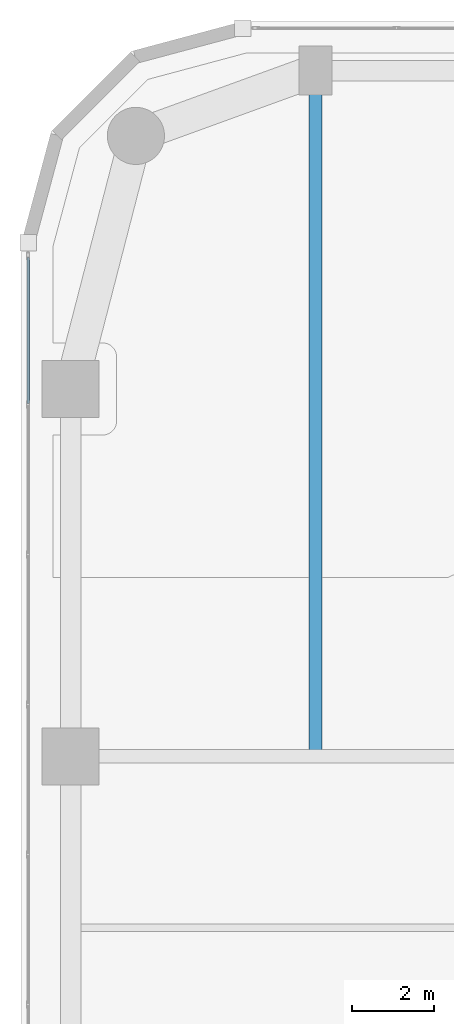
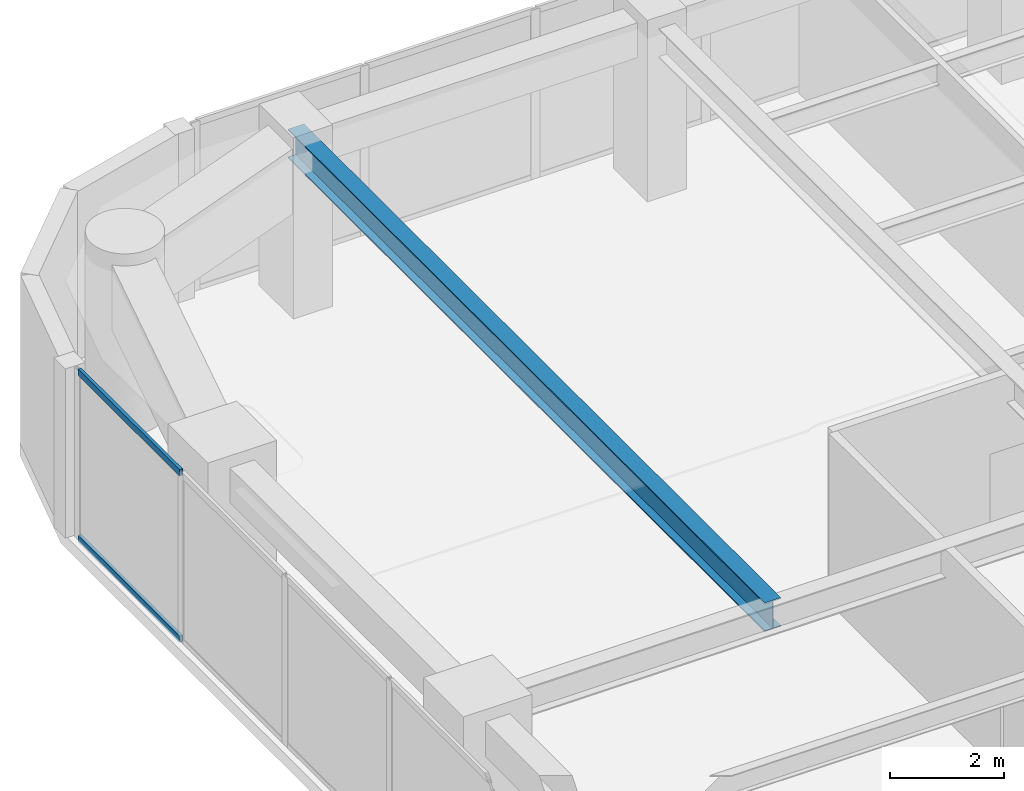
# One storey, part 10 of 24: 2 members, 1 beam, 1 element without a shape of its own.
"""IFC4 building model written with IfcOpenShell, lengths in metres."""

from ifc_helpers import new_model, si_unit, direction, frame, origin, origin_2d, place, context, subcontext, project, spatial, hollow_rectangle, i_section, extrude, material, layer, layer_set, material_profile, profile_set, type_object, element, aggregate, save


model = new_model("IFC4")

# Units and contexts
model_context = context("Model", 3, precision=1e-05, world=origin(), true_north=direction((0.0, 1.0)))
body_context = subcontext(model_context, "Body", "Model", "MODEL_VIEW")
ifc_project = project(units=[si_unit("LENGTHUNIT", "METRE"), si_unit("AREAUNIT", "SQUARE_METRE"), si_unit("VOLUMEUNIT", "CUBIC_METRE"), si_unit("PLANEANGLEUNIT", "RADIAN"), si_unit("MASSUNIT", "GRAM", prefix="KILO")], contexts=[model_context])

# Site, building, storey
site_placement = place(None, origin())
site = spatial("IfcSite", under=ifc_project, at=site_placement, CompositionType="ELEMENT")
building_placement = place(site_placement, origin())
building = spatial("IfcBuilding", under=site, at=building_placement, Name="Kiyonajd Concourse Tower", CompositionType="ELEMENT")
storey_placement = place(building_placement, frame((0.0, 0.0, 117.0)))
storey = spatial("IfcBuildingStorey", under=building, at=storey_placement, Name="L30", CompositionType="ELEMENT", Elevation=117.0)

# Beam
ifc_material_1 = material(Name="Steel ASTM A992 Grade 50", Category="steel")
ifc_material_profile_1 = material_profile(ifc_material_1, i_section(OverallWidth=0.326904296875, OverallDepth=0.6220703125, WebThickness=0.015380859375, FlangeThickness=0.0244140625, at=origin_2d()), Name="W610X195")
ifc_profile_set_1 = profile_set([ifc_material_profile_1], Name="Steel ASTM A992 Grade 50")
beam_type = type_object("IfcBeamType", Name="BM-TWR-610A", PredefinedType="BEAM", material=ifc_profile_set_1)
beam_placement = place(storey_placement, frame((25.199951171875, 44.39990234375, 3.3291015625), z_axis=(0.0, 1.0, 0.0), x_axis=(-1.0, 0.0, 0.0)))
element("IfcBeam", 1, at=beam_placement, inside=storey, type_object=beam_type, Name="L30 North Lease Girder", PredefinedType="BEAM", context=body_context, shape_type="SweptSolid", body=[
    extrude(i_section(OverallWidth=0.326904296875, OverallDepth=0.6220703125, WebThickness=0.015380859375, FlangeThickness=0.0244140625, at=origin_2d()), origin(), (0.0, 0.0, 1.0), 16.800048828125),
])

# Curtain wall, members
ifc_material_2 = material(Name="Thermally Broken Anodised Aluminium", Category="aluminium")
ifc_layer = layer(ifc_material_2, 0.179931640625)
ifc_layer_set = layer_set([ifc_layer], Name="Thermally Broken Anodised Aluminium")
curtain_wall_type = type_object("IfcCurtainWallType", Name="CW-SYS-03", PredefinedType="NOTDEFINED", material=ifc_layer_set)
curtain_wall_placement = place(storey_placement, origin())
curtain_wall = element("IfcCurtainWall", 2, at=curtain_wall_placement, inside=storey, type_object=curtain_wall_type, Name="L30 Unitised Curtain Wall CW3", PredefinedType="NOTDEFINED")
ifc_material_profile_2 = material_profile(ifc_material_2, hollow_rectangle(XDim=0.06494140625, YDim=0.139892578125, WallThickness=0.00390625, at=origin_2d()), Name="TRAN-65x140")
ifc_profile_set_2 = profile_set([ifc_material_profile_2], Name="Thermally Broken Anodised Aluminium")
member_type = type_object("IfcMemberType", Name="MB-CW-TRAN1", PredefinedType="USERDEFINED", material=ifc_profile_set_2)
member_1_placement = place(storey_placement, frame((18.159912109375, 53.04833984375, 0.032470703125), z_axis=(0.0, 1.0, 0.0), x_axis=(-1.0, 0.0, 0.0)))
member_1 = element("IfcMember", 3, at=member_1_placement, type_object=member_type, Name="CW3 transom 6.1", ObjectType="TRANSOM", PredefinedType="USERDEFINED", context=body_context, shape_type="SweptSolid", body=[
    extrude(hollow_rectangle(XDim=0.06494140625, YDim=0.139892578125, WallThickness=0.00390625, at=origin_2d()), origin(), (0.0, 0.0, 1.0), 3.575439453125),
])
member_2_placement = place(storey_placement, frame((18.159912109375, 53.04833984375, 3.607421875), z_axis=(0.0, 1.0, 0.0), x_axis=(-1.0, 0.0, 0.0)))
member_2 = element("IfcMember", 4, at=member_2_placement, type_object=member_type, Name="CW3 transom 6.2", ObjectType="TRANSOM", PredefinedType="USERDEFINED", context=body_context, shape_type="SweptSolid", body=[
    extrude(hollow_rectangle(XDim=0.06494140625, YDim=0.139892578125, WallThickness=0.00390625, at=origin_2d()), origin(), (0.0, 0.0, 1.0), 3.575439453125),
])
aggregate(curtain_wall, [member_1, member_2])

save(model, "model.ifc")
